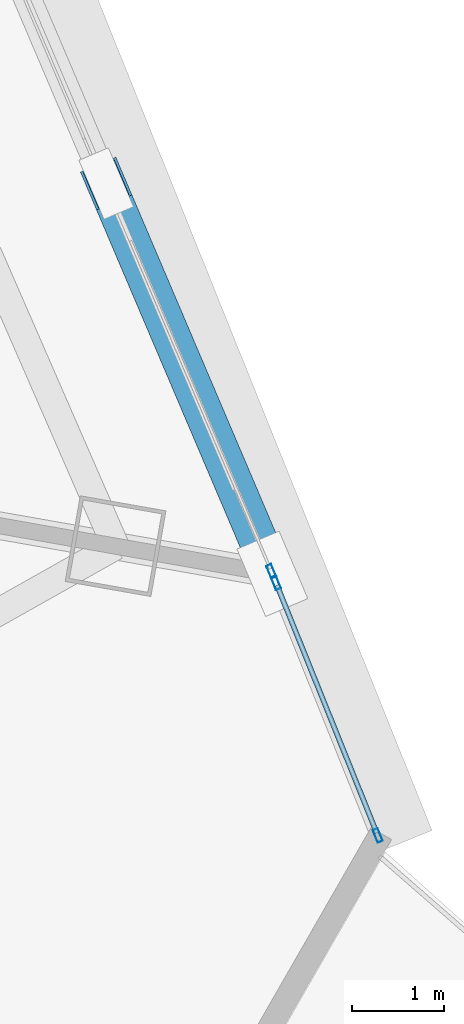
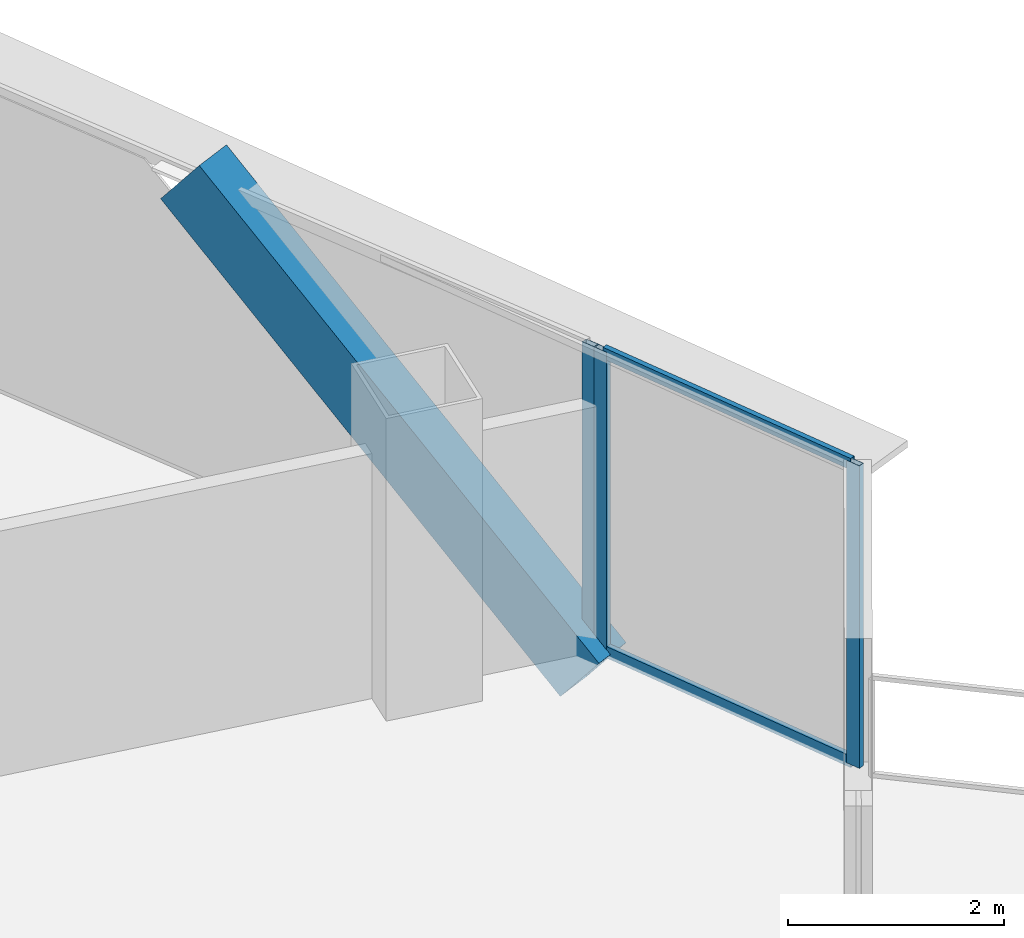
# One storey, part 24 of 39: 6 members, 2 elements without a shape of their own.
"""IFC4 building model written with IfcOpenShell, lengths in metres."""

from ifc_helpers import new_model, si_unit, direction, frame, origin, origin_2d, place, context, subcontext, project, spatial, hollow_rectangle, extrude, source, transform, mapped, material, layer, layer_set, material_profile, profile_set, type_object, element, aggregate, save


model = new_model("IFC4")

# Units and contexts
model_context = context("Model", 3, precision=1e-05, world=origin(), true_north=direction((0.0, 1.0)))
body_context = subcontext(model_context, "Body", "Model", "MODEL_VIEW")
ifc_project = project(units=[si_unit("LENGTHUNIT", "METRE"), si_unit("AREAUNIT", "SQUARE_METRE"), si_unit("VOLUMEUNIT", "CUBIC_METRE"), si_unit("PLANEANGLEUNIT", "RADIAN"), si_unit("MASSUNIT", "GRAM", prefix="KILO"), si_unit("THERMODYNAMICTEMPERATUREUNIT", "KELVIN"), si_unit("POWERUNIT", "WATT")], contexts=[model_context])

# Site, building, storey
site_placement = place(None, origin())
site = spatial("IfcSite", under=ifc_project, at=site_placement, CompositionType="ELEMENT")
building_placement = place(site_placement, origin())
building = spatial("IfcBuilding", under=site, at=building_placement, Name="Yunzhuo Pagoda Commons", CompositionType="ELEMENT")
storey_placement = place(building_placement, frame((0.0, 0.0, 144.550048828125)))
storey = spatial("IfcBuildingStorey", under=building, at=storey_placement, Name="L36", CompositionType="ELEMENT", Elevation=144.550048828125)

# Member
ifc_material_1 = material(Name="Structural steel Q420B", Category="steel")
ifc_material_profile_1 = material_profile(ifc_material_1, hollow_rectangle(XDim=0.419921875, YDim=0.719970703125, WallThickness=0.028076171875, at=origin_2d()), Name="Structural steel Q420B")
ifc_profile_set_1 = profile_set([ifc_material_profile_1], Name="Structural steel Q420B")
member_type_1 = type_object("IfcMemberType", Name="M-DL1 Brace BOX 720x420x28", PredefinedType="BRACE", material=ifc_profile_set_1)
shared_shape_1 = source(origin(), body_context, "Body", "SweptSolid", [
    extrude(hollow_rectangle(XDim=0.419921875, YDim=0.719970703125, WallThickness=0.028076171875, at=origin_2d()), origin(), (0.0, 0.0, 1.0), 5.915283203125),
])
member_1_placement = place(storey_placement, frame((86.708984375, 26.87451171875, -0.260009765625), z_axis=(-0.306695249889, 0.720368576444, 0.622098977469), x_axis=(-0.920083094717, -0.391723242629, 0.0)))
element("IfcMember", 1, at=member_1_placement, inside=storey, type_object=member_type_1, Name="L36 facade diamond brace F2.1L", PredefinedType="BRACE", context=body_context, shape_type="MappedRepresentation", body=[
    mapped(shared_shape_1, transform((0.0, 0.0, 0.0), scale=1.0)),
])

# Curtain wall, member
ifc_material_2 = material(Name="Anodized aluminium 6063-T6", Category="aluminium")
ifc_layer = layer(ifc_material_2, 0.14990234375)
ifc_layer_set = layer_set([ifc_layer], Name="Anodized aluminium 6063-T6")
curtain_wall_type = type_object("IfcCurtainWallType", Name="CW-MID Mid-Zone Ribbon Curtain Wall", PredefinedType="NOTDEFINED", material=ifc_layer_set)
curtain_wall_1_placement = place(storey_placement, origin())
curtain_wall_1 = element("IfcCurtainWall", 2, at=curtain_wall_1_placement, inside=storey, type_object=curtain_wall_type, Name="L36 curtain wall CW-L36-F2B2", PredefinedType="NOTDEFINED")
ifc_material_profile_2 = material_profile(ifc_material_2, hollow_rectangle(XDim=0.06005859375, YDim=0.14990234375, WallThickness=0.00390625, at=origin_2d()), Name="Anodized aluminium 6063-T6")
ifc_profile_set_2 = profile_set([ifc_material_profile_2], Name="Anodized aluminium 6063-T6")
member_type_2 = type_object("IfcMemberType", Name="CW-MID-M Mullion RHS 150x60x4", PredefinedType="MULLION", material=ifc_profile_set_2)
shared_shape_2 = source(origin(), body_context, "Body", "SweptSolid", [
    extrude(hollow_rectangle(XDim=0.06005859375, YDim=0.14990234375, WallThickness=0.00390625, at=origin_2d()), origin(), (0.0, 0.0, 1.0), 3.419921875),
])
member_2_placement = place(storey_placement, frame((86.697265625, 26.902099609375, 0.0), z_axis=(0.0, 0.0, 1.0), x_axis=(-0.920072228059, -0.391748765351, 0.0)))
member_2 = element("IfcMember", 3, at=member_2_placement, type_object=member_type_2, Name="CW mullion 1", PredefinedType="MULLION", context=body_context, shape_type="MappedRepresentation", body=[
    mapped(shared_shape_2, transform((0.0, 0.0, 0.0), scale=1.0)),
])
aggregate(curtain_wall_1, [member_2])

# Curtain wall, members
curtain_wall_2_placement = place(storey_placement, origin())
curtain_wall_2 = element("IfcCurtainWall", 4, at=curtain_wall_2_placement, inside=storey, type_object=curtain_wall_type, Name="L36 curtain wall CW-L36-F2B1", PredefinedType="NOTDEFINED")
member_3_placement = place(storey_placement, frame((87.859619140625, 24.017822265625, 0.0), z_axis=(0.0, 0.0, 1.0), x_axis=(-0.927583162846, -0.373616750166, 0.0)))
member_3 = element("IfcMember", 5, at=member_3_placement, type_object=member_type_2, Name="CW mullion 1", PredefinedType="MULLION", context=body_context, shape_type="MappedRepresentation", body=[
    mapped(shared_shape_2, transform((0.0, 0.0, 0.0), scale=1.0)),
])
member_4_placement = place(storey_placement, frame((86.748291015625, 26.777099609375, 0.0), z_axis=(0.0, 0.0, 1.0), x_axis=(-0.927583162846, -0.373616750166, 0.0)))
member_4 = element("IfcMember", 6, at=member_4_placement, type_object=member_type_2, Name="CW mullion 2", PredefinedType="MULLION", context=body_context, shape_type="MappedRepresentation", body=[
    mapped(shared_shape_2, transform((0.0, 0.0, 0.0), scale=1.0)),
])
ifc_material_profile_3 = material_profile(ifc_material_2, hollow_rectangle(XDim=0.054931640625, YDim=0.1298828125, WallThickness=0.00341796875, at=origin_2d()), Name="Anodized aluminium 6063-T6")
ifc_profile_set_3 = profile_set([ifc_material_profile_3], Name="Anodized aluminium 6063-T6")
member_type_3 = type_object("IfcMemberType", Name="CW-MID-T Transom RHS 130x55x3.5", PredefinedType="USERDEFINED", material=ifc_profile_set_3)
shared_shape_3 = source(origin(), body_context, "Body", "SweptSolid", [
    extrude(hollow_rectangle(XDim=0.054931640625, YDim=0.1298828125, WallThickness=0.00341796875, at=origin_2d()), origin(), (0.0, 0.0, 1.0), 2.91455078125),
])
member_5_placement = place(storey_placement, frame((87.848388671875, 24.045654296875, 0.02734375), z_axis=(-0.373512741119, 0.927625049372, 0.0), x_axis=(-0.927625049372, -0.373512741119, 0.0)))
member_5 = element("IfcMember", 7, at=member_5_placement, type_object=member_type_3, Name="CW transom 1.1", ObjectType="TRANSOM", PredefinedType="USERDEFINED", context=body_context, shape_type="MappedRepresentation", body=[
    mapped(shared_shape_3, transform((0.0, 0.0, 0.0), scale=1.0)),
])
member_6_placement = place(storey_placement, frame((87.848388671875, 24.045654296875, 3.392333984375), z_axis=(-0.373512741119, 0.927625049372, 0.0), x_axis=(-0.927625049372, -0.373512741119, 0.0)))
member_6 = element("IfcMember", 8, at=member_6_placement, type_object=member_type_3, Name="CW transom 1.2", ObjectType="TRANSOM", PredefinedType="USERDEFINED", context=body_context, shape_type="MappedRepresentation", body=[
    mapped(shared_shape_3, transform((0.0, 0.0, 0.0), scale=1.0)),
])
aggregate(curtain_wall_2, [member_3, member_4, member_5, member_6])

save(model, "model.ifc")
